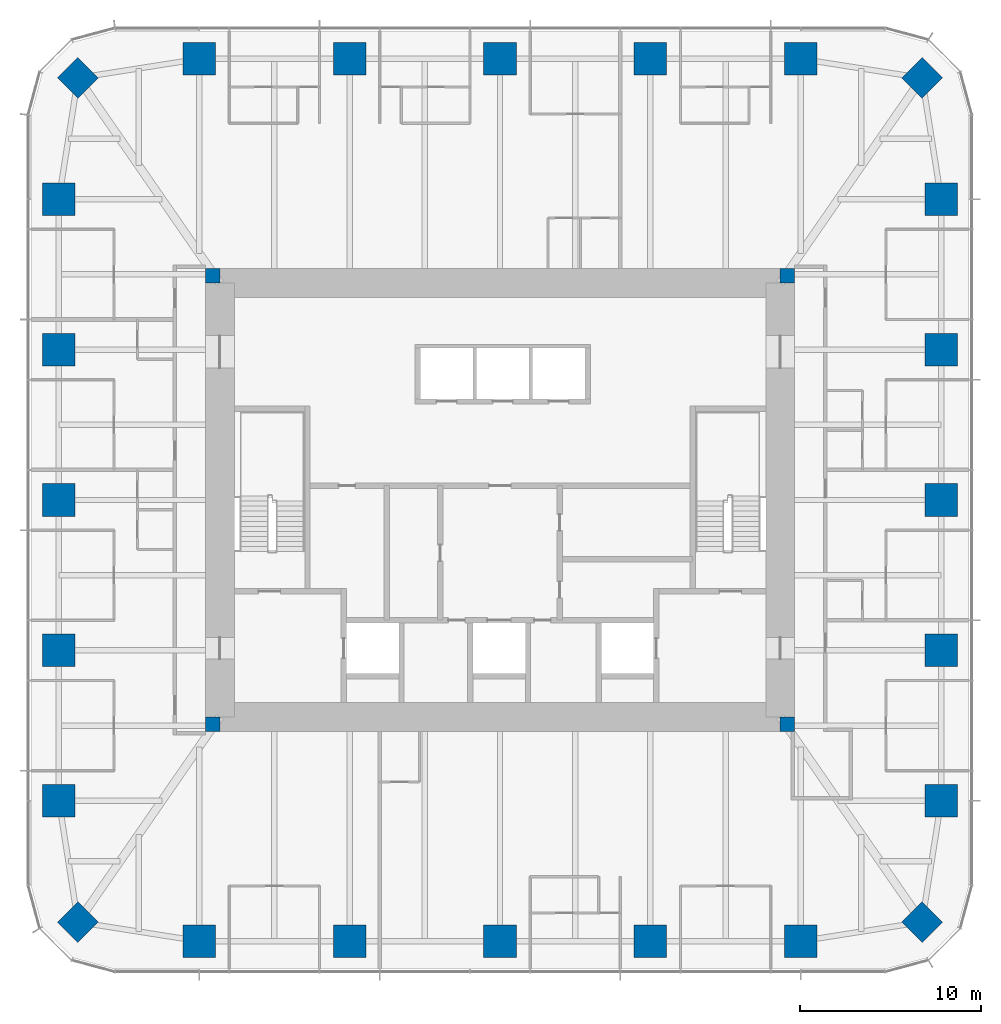
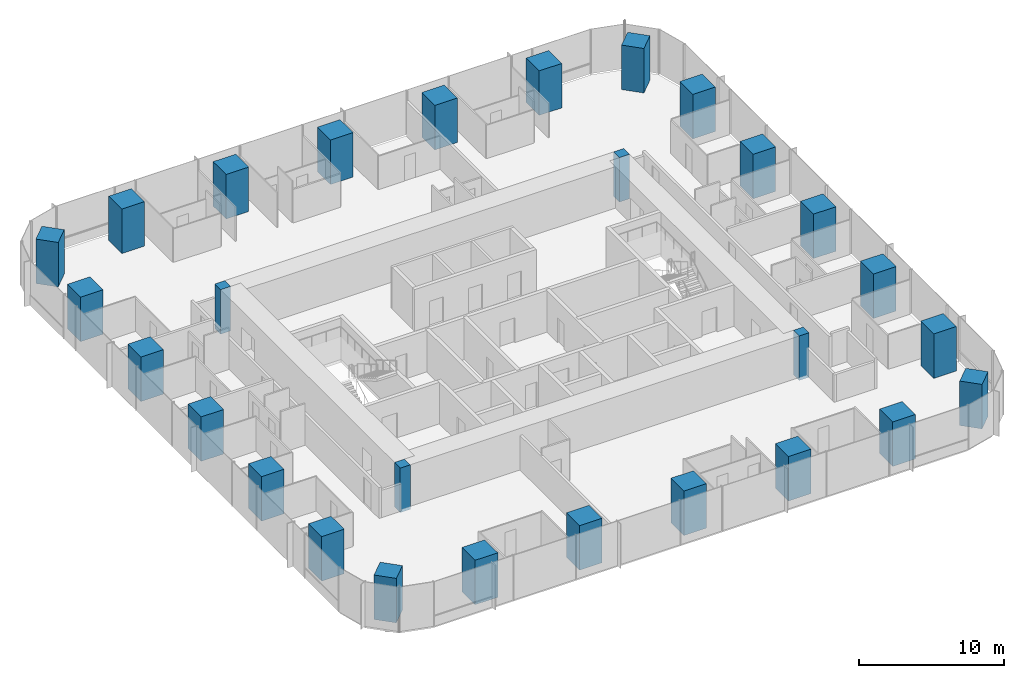
# One storey, part 1 of 12: 28 columns.
"""IFC4 building model written with IfcOpenShell, lengths in metres."""

from ifc_helpers import new_model, si_unit, direction, frame, origin, origin_2d, place, context, subcontext, project, spatial, rectangle, extrude, material, material_profile, profile_set, type_object, element, save


model = new_model("IFC4")

# Units and contexts
model_context = context("Model", 3, precision=1e-05, world=origin(), true_north=direction((0.0, 1.0)))
body_context = subcontext(model_context, "Body", "Model", "MODEL_VIEW")
ifc_project = project(units=[si_unit("LENGTHUNIT", "METRE"), si_unit("AREAUNIT", "SQUARE_METRE"), si_unit("VOLUMEUNIT", "CUBIC_METRE"), si_unit("PLANEANGLEUNIT", "RADIAN"), si_unit("MASSUNIT", "GRAM", prefix="KILO")], contexts=[model_context])

# Site, building, storey
site_placement = place(None, origin())
site = spatial("IfcSite", under=ifc_project, at=site_placement, CompositionType="ELEMENT")
building_placement = place(site_placement, origin())
building = spatial("IfcBuilding", under=site, at=building_placement, Name="Khuree Lantern Residences", CompositionType="ELEMENT")
storey_placement = place(building_placement, frame((0.0, 0.0, 237.0)))
storey = spatial("IfcBuildingStorey", under=building, at=storey_placement, Name="L59", CompositionType="ELEMENT", Elevation=237.0)

# Columns
ifc_material_1 = material(Name="Concrete C70/85", Category="concrete")
ifc_material_profile_1 = material_profile(ifc_material_1, rectangle(XDim=1.60009765625, YDim=1.60009765625, at=origin_2d()), Name="RC 1600X1600")
ifc_profile_set_1 = profile_set([ifc_material_profile_1], Name="Concrete C70/85")
column_type_1 = type_object("IfcColumnType", Name="CC1600A PERIMETER CORNER COLUMN RC 1600X1600", PredefinedType="COLUMN", material=ifc_profile_set_1)
for number, where, z_axis, x_axis, name in (
    (1, (23.345703125, 23.345703125, 0.0), (0.0, 0.0, 1.0), (0.707106781187, -0.707106781187, 0.0), "Perimeter column NE"),
    (2, (23.345703125, -23.345703125, 0.0), (0.0, 0.0, 1.0), (0.707106781187, 0.707106781187, 0.0), "Perimeter column SE"),
    (3, (-23.345703125, -23.345703125, 0.0), (0.0, 0.0, 1.0), (0.707106781187, -0.707106781187, 0.0), "Perimeter column SW"),
    (4, (-23.345703125, 23.345703125, 0.0), (0.0, 0.0, 1.0), (0.707106781187, 0.707106781187, 0.0), "Perimeter column NW"),
):
    element("IfcColumn", number, at=place(storey_placement, frame(where, z_axis=z_axis, x_axis=x_axis)), inside=storey, type_object=column_type_1, Name=name, PredefinedType="COLUMN", context=body_context, shape_type="SweptSolid", body=[
        extrude(rectangle(XDim=1.60009765625, YDim=1.60009765625, at=origin_2d()), origin(), (0.0, 0.0, 1.0), 3.75),
    ])
ifc_material_2 = material(Name="Concrete C50/60", Category="concrete")
ifc_material_profile_2 = material_profile(ifc_material_2, rectangle(XDim=0.800048828125, YDim=0.800048828125, at=origin_2d()), Name="RC 800X800")
ifc_profile_set_2 = profile_set([ifc_material_profile_2], Name="Concrete C50/60")
column_type_2 = type_object("IfcColumnType", Name="CP800-C50 CORE CORNER PIER C50 RC 800X800", PredefinedType="COLUMN", material=ifc_profile_set_2)
for number, where, z_axis, x_axis, name in (
    (5, (15.89990234375, 12.39990234375, -0.25), (0.0, 0.0, 1.0), (1.0, 0.0, 0.0), "Core corner pier NE"),
    (6, (-15.89990234375, 12.39990234375, -0.25), (0.0, 0.0, 1.0), (1.0, 0.0, 0.0), "Core corner pier NW"),
    (7, (-15.89990234375, -12.39990234375, -0.25), (0.0, 0.0, 1.0), (1.0, 0.0, 0.0), "Core corner pier SW"),
    (8, (15.89990234375, -12.39990234375, -0.25), (0.0, 0.0, 1.0), (1.0, 0.0, 0.0), "Core corner pier SE"),
):
    element("IfcColumn", number, at=place(storey_placement, frame(where, z_axis=z_axis, x_axis=x_axis)), inside=storey, type_object=column_type_2, Name=name, PredefinedType="COLUMN", context=body_context, shape_type="SweptSolid", body=[
        extrude(rectangle(XDim=0.800048828125, YDim=0.800048828125, at=origin_2d()), origin(), (0.0, 0.0, 1.0), 3.75),
    ])
ifc_material_profile_3 = material_profile(ifc_material_1, rectangle(XDim=1.800048828125, YDim=1.800048828125, at=origin_2d()), Name="RC 1800X1800")
ifc_profile_set_3 = profile_set([ifc_material_profile_3], Name="Concrete C70/85")
column_type_3 = type_object("IfcColumnType", Name="PC4 PERIMETER COLUMN RC 1800X1800", PredefinedType="COLUMN", material=ifc_profile_set_3)
for number, where, z_axis, x_axis, name in (
    (9, (-16.639892578125, 24.39990234375, 0.0), (0.0, 0.0, 1.0), (1.0, 0.0, 0.0), "Perimeter column N1"),
    (10, (-8.320068359375, 24.39990234375, 0.0), (0.0, 0.0, 1.0), (1.0, 0.0, 0.0), "Perimeter column N2"),
    (11, (0.0, 24.39990234375, 0.0), (0.0, 0.0, 1.0), (1.0, 0.0, 0.0), "Perimeter column N3"),
    (12, (8.320068359375, 24.39990234375, 0.0), (0.0, 0.0, 1.0), (1.0, 0.0, 0.0), "Perimeter column N4"),
    (13, (16.639892578125, 24.39990234375, 0.0), (0.0, 0.0, 1.0), (1.0, 0.0, 0.0), "Perimeter column N5"),
    (14, (24.39990234375, 16.639892578125, 0.0), (0.0, 0.0, 1.0), (0.0, 1.0, 0.0), "Perimeter column E1"),
    (15, (24.39990234375, 8.320068359375, 0.0), (0.0, 0.0, 1.0), (0.0, 1.0, 0.0), "Perimeter column E2"),
    (16, (24.39990234375, 0.0, 0.0), (0.0, 0.0, 1.0), (0.0, 1.0, 0.0), "Perimeter column E3"),
    (17, (24.39990234375, -8.320068359375, 0.0), (0.0, 0.0, 1.0), (0.0, 1.0, 0.0), "Perimeter column E4"),
    (18, (24.39990234375, -16.639892578125, 0.0), (0.0, 0.0, 1.0), (0.0, 1.0, 0.0), "Perimeter column E5"),
    (19, (16.639892578125, -24.39990234375, 0.0), (0.0, 0.0, 1.0), (1.0, 0.0, 0.0), "Perimeter column S1"),
    (20, (8.320068359375, -24.39990234375, 0.0), (0.0, 0.0, 1.0), (1.0, 0.0, 0.0), "Perimeter column S2"),
    (21, (0.0, -24.39990234375, 0.0), (0.0, 0.0, 1.0), (1.0, 0.0, 0.0), "Perimeter column S3"),
    (22, (-8.320068359375, -24.39990234375, 0.0), (0.0, 0.0, 1.0), (1.0, 0.0, 0.0), "Perimeter column S4"),
    (23, (-16.639892578125, -24.39990234375, 0.0), (0.0, 0.0, 1.0), (1.0, 0.0, 0.0), "Perimeter column S5"),
    (24, (-24.39990234375, -16.639892578125, 0.0), (0.0, 0.0, 1.0), (0.0, 1.0, 0.0), "Perimeter column W1"),
    (25, (-24.39990234375, -8.320068359375, 0.0), (0.0, 0.0, 1.0), (0.0, 1.0, 0.0), "Perimeter column W2"),
    (26, (-24.39990234375, 0.0, 0.0), (0.0, 0.0, 1.0), (0.0, 1.0, 0.0), "Perimeter column W3"),
    (27, (-24.39990234375, 8.320068359375, 0.0), (0.0, 0.0, 1.0), (0.0, 1.0, 0.0), "Perimeter column W4"),
    (28, (-24.39990234375, 16.639892578125, 0.0), (0.0, 0.0, 1.0), (0.0, 1.0, 0.0), "Perimeter column W5"),
):
    element("IfcColumn", number, at=place(storey_placement, frame(where, z_axis=z_axis, x_axis=x_axis)), inside=storey, type_object=column_type_3, Name=name, PredefinedType="COLUMN", context=body_context, shape_type="SweptSolid", body=[
        extrude(rectangle(XDim=1.800048828125, YDim=1.800048828125, at=origin_2d()), origin(), (0.0, 0.0, 1.0), 3.75),
    ])

save(model, "model.ifc")
